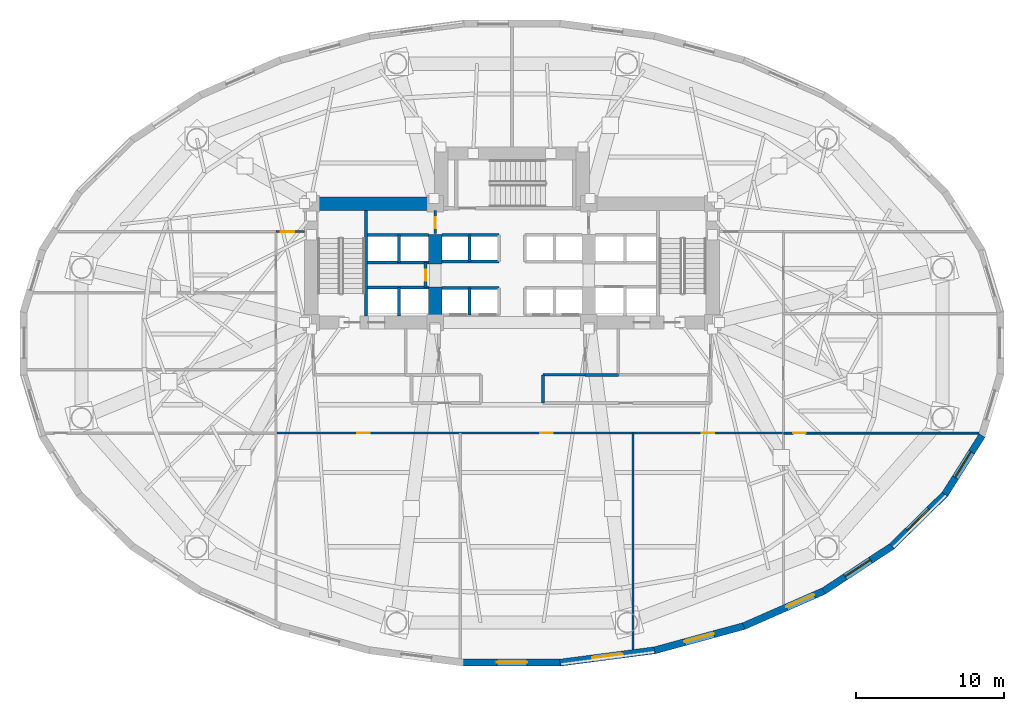
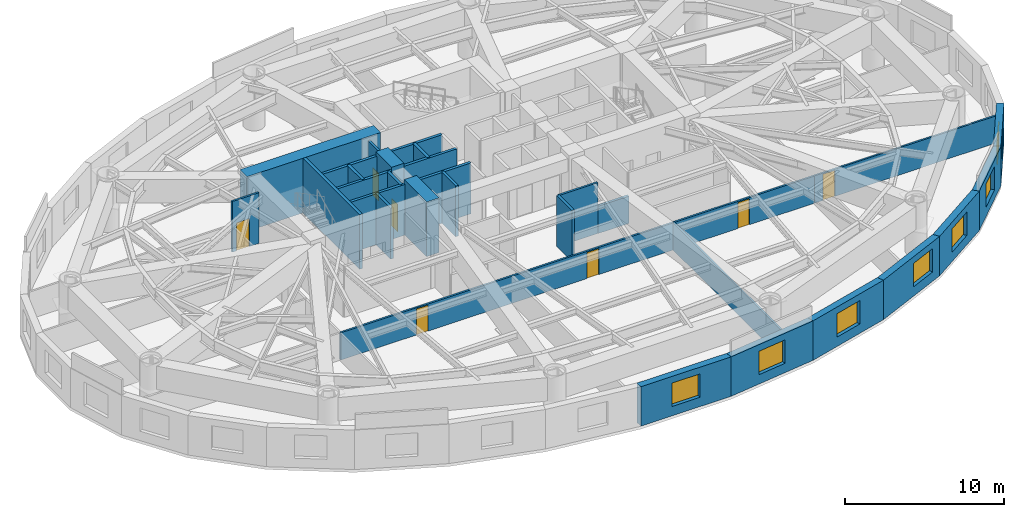
# One storey, part 6 of 14: 30 walls, 7 doors, 7 windows, 14 openings.
"""IFC4 building model written with IfcOpenShell, lengths in metres."""

from ifc_helpers import new_model, si_unit, direction, frame, frame_2d, origin, place, context, subcontext, project, spatial, rectangle, extrude, material, layer, layer_set, type_object, element, fill, save


model = new_model("IFC4")

# Units and contexts
model_context = context("Model", 3, precision=1e-05, world=origin(), true_north=direction((0.0, 1.0)))
body_context = subcontext(model_context, "Body", "Model", "MODEL_VIEW")
ifc_project = project(units=[si_unit("LENGTHUNIT", "METRE"), si_unit("AREAUNIT", "SQUARE_METRE"), si_unit("VOLUMEUNIT", "CUBIC_METRE"), si_unit("PLANEANGLEUNIT", "RADIAN"), si_unit("MASSUNIT", "GRAM", prefix="KILO")], contexts=[model_context])

# Site, building, storey
site_placement = place(None, origin())
site = spatial("IfcSite", under=ifc_project, at=site_placement, CompositionType="ELEMENT")
building_placement = place(site_placement, origin())
building = spatial("IfcBuilding", under=site, at=building_placement, Name="Keldmark Tower", CompositionType="ELEMENT")
storey_placement = place(building_placement, frame((0.0, 0.0, 22.800048828125)))
storey = spatial("IfcBuildingStorey", under=building, at=storey_placement, Name="L05", CompositionType="ELEMENT", Elevation=22.800048828125)

# Wall, openings, doors
ifc_material_1 = material(Name="Acoustic Double-Layer Gypsum Corridor Partition", Category="gypsum")
ifc_layer_1 = layer(ifc_material_1, 0.139892578125)
ifc_layer_set_1 = layer_set([ifc_layer_1], Name="Acoustic Double-Layer Gypsum Corridor Partition")
wall_type_1 = type_object("IfcWallType", Name="Acoustic Corridor Partition 140 mm", PredefinedType="PARTITIONING", material=ifc_layer_set_1)
wall_1_placement = place(storey_placement, frame((-16.0, -6.10009765625, 0.0), z_axis=(0.0, 0.0, 1.0), x_axis=(1.0, 0.0, 0.0)))
wall_1 = element("IfcWall", 1, at=wall_1_placement, inside=storey, type_object=wall_type_1, Name="L05 Acoustic Corridor Partition 140 mm COR-S", PredefinedType="PARTITIONING", context=body_context, shape_type="SweptSolid", body=[
    extrude(rectangle(XDim=34.39990234375, YDim=0.139892578125, at=frame_2d((17.199951171875, 0.0))), origin(), (0.0, 0.0, 1.0), 2.08984375),
])
opening_1_placement = place(wall_1_placement, frame((5.5, 0.0, 0.0)))
opening_1 = element("IfcOpeningElement", 2, at=opening_1_placement, cuts=wall_1, Name="Opening D-CUD85", PredefinedType="OPENING", context=body_context, shape_type="SweptSolid", body=[
    extrude(rectangle(XDim=0.85009765625, YDim=2.0, at=frame_2d((0.425048828125, 1.0))), frame((0.0, 0.079833984375, 0.0), z_axis=(0.0, -1.0, 0.0), x_axis=(1.0, 0.0, 0.0)), (0.0, 0.0, 1.0), 0.159912109375),
])
opening_2_placement = place(wall_1_placement, frame((17.89990234375, 0.0, 0.0)))
opening_2 = element("IfcOpeningElement", 3, at=opening_2_placement, cuts=wall_1, Name="Opening D-CUD85", PredefinedType="OPENING", context=body_context, shape_type="SweptSolid", body=[
    extrude(rectangle(XDim=0.85009765625, YDim=2.0, at=frame_2d((0.425048828125, 1.0))), frame((0.0, 0.079833984375, 0.0), z_axis=(0.0, -1.0, 0.0), x_axis=(1.0, 0.0, 0.0)), (0.0, 0.0, 1.0), 0.159912109375),
])
opening_3_placement = place(wall_1_placement, frame((28.85009765625, 0.0, 0.0)))
opening_3 = element("IfcOpeningElement", 4, at=opening_3_placement, cuts=wall_1, Name="Opening D-CUD85", PredefinedType="OPENING", context=body_context, shape_type="SweptSolid", body=[
    extrude(rectangle(XDim=0.85009765625, YDim=2.0, at=frame_2d((0.425048828125, 1.0))), frame((0.0, 0.079833984375, 0.0), z_axis=(0.0, -1.0, 0.0), x_axis=(1.0, 0.0, 0.0)), (0.0, 0.0, 1.0), 0.159912109375),
])
ifc_material_2 = material(Name="Compact Flush Solid-Core Timber Door", Category="wood")
door_type_1 = type_object("IfcDoorType", Name="Compact Unrated Door 850x2000", OperationType="NOTDEFINED", PredefinedType="DOOR", material=ifc_material_2)
door_1_placement = place(opening_1_placement, origin())
door_1 = element("IfcDoor", 5, at=door_1_placement, inside=storey, type_object=door_type_1, Name="L05 Compact Unrated Door 850x2000 D-SR-1-L05", OperationType="SINGLE_SWING_LEFT", OverallHeight=2.0, OverallWidth=0.85009765625, PredefinedType="DOOR", context=body_context, shape_type="SweptSolid", body=[
    extrude(rectangle(XDim=0.85009765625, YDim=2.0, at=frame_2d((0.425048828125, 1.0))), frame((0.0, 0.02490234375, 0.0), z_axis=(0.0, -1.0, 0.0), x_axis=(1.0, 0.0, 0.0)), (0.0, 0.0, 1.0), 0.050048828125),
])
fill(opening_1, door_1)
door_2_placement = place(opening_2_placement, origin())
door_2 = element("IfcDoor", 6, at=door_2_placement, inside=storey, type_object=door_type_1, Name="L05 Compact Unrated Door 850x2000 D-SR-2-L05", OperationType="SINGLE_SWING_RIGHT", OverallHeight=2.0, OverallWidth=0.85009765625, PredefinedType="DOOR", context=body_context, shape_type="SweptSolid", body=[
    extrude(rectangle(XDim=0.85009765625, YDim=2.0, at=frame_2d((0.425048828125, 1.0))), frame((0.0, 0.02490234375, 0.0), z_axis=(0.0, -1.0, 0.0), x_axis=(1.0, 0.0, 0.0)), (0.0, 0.0, 1.0), 0.050048828125),
])
fill(opening_2, door_2)
door_3_placement = place(opening_3_placement, origin())
door_3 = element("IfcDoor", 7, at=door_3_placement, inside=storey, type_object=door_type_1, Name="L05 Compact Unrated Door 850x2000 D-SR-3-L05", OperationType="SINGLE_SWING_LEFT", OverallHeight=2.0, OverallWidth=0.85009765625, PredefinedType="DOOR", context=body_context, shape_type="SweptSolid", body=[
    extrude(rectangle(XDim=0.85009765625, YDim=2.0, at=frame_2d((0.425048828125, 1.0))), frame((0.0, 0.02490234375, 0.0), z_axis=(0.0, -1.0, 0.0), x_axis=(1.0, 0.0, 0.0)), (0.0, 0.0, 1.0), 0.050048828125),
])
fill(opening_3, door_3)

# Wall, opening, door
wall_2_placement = place(storey_placement, frame((-16.0, 7.550048828125, 0.0), z_axis=(0.0, 0.0, 1.0), x_axis=(1.0, 0.0, 0.0)))
wall_2 = element("IfcWall", 8, at=wall_2_placement, inside=storey, type_object=wall_type_1, Name="L05 Acoustic Corridor Partition 140 mm COR-WN-CAP", PredefinedType="PARTITIONING", context=body_context, shape_type="SweptSolid", body=[
    extrude(rectangle(XDim=1.949951171875, YDim=0.139892578125, at=frame_2d((0.97509765625, 0.0))), origin(), (0.0, 0.0, 1.0), 3.89990234375),
])
opening_4_placement = place(wall_2_placement, frame((0.320068359375, 0.0, 0.0)))
opening_4 = element("IfcOpeningElement", 9, at=opening_4_placement, cuts=wall_2, Name="Opening D-EX092", PredefinedType="OPENING", context=body_context, shape_type="SweptSolid", body=[
    extrude(rectangle(XDim=0.919921875, YDim=2.14990234375, at=frame_2d((0.4599609375, 1.074951171875))), frame((0.0, 0.079833984375, 0.0), z_axis=(0.0, -1.0, 0.0), x_axis=(1.0, 0.0, 0.0)), (0.0, 0.0, 1.0), 0.159912109375),
])
ifc_material_3 = material(Name="Flush American Ash Executive Office Door", Category="wood")
door_type_2 = type_object("IfcDoorType", Name="Executive Office Door 920x2150", OperationType="NOTDEFINED", PredefinedType="DOOR", material=ifc_material_3)
door_4_placement = place(opening_4_placement, origin())
door_4 = element("IfcDoor", 10, at=door_4_placement, inside=storey, type_object=door_type_2, Name="L05 Executive Office Door 920x2150 D-NRNW-L05", OperationType="SINGLE_SWING_LEFT", OverallHeight=2.14990234375, OverallWidth=0.919921875, PredefinedType="DOOR", context=body_context, shape_type="SweptSolid", body=[
    extrude(rectangle(XDim=0.919921875, YDim=2.14990234375, at=frame_2d((0.4599609375, 1.074951171875))), frame((0.0, 0.02490234375, 0.0), z_axis=(0.0, -1.0, 0.0), x_axis=(1.0, 0.0, 0.0)), (0.0, 0.0, 1.0), 0.050048828125),
])
fill(opening_4, door_4)

# Walls
ifc_material_4 = material(Name="Heavy Acoustic Plumbing Chase Gypsum Assembly", Category="gypsum")
ifc_layer_2 = layer(ifc_material_4, 0.18994140625)
ifc_layer_set_2 = layer_set([ifc_layer_2], Name="Heavy Acoustic Plumbing Chase Gypsum Assembly")
wall_type_2 = type_object("IfcWallType", Name="Heavy Wet Wall 190 mm", PredefinedType="PLUMBINGWALL", material=ifc_layer_set_2)
wall_3_placement = place(storey_placement, frame((2.10009765625, -4.050048828125, 0.0), z_axis=(0.0, 0.0, 1.0), x_axis=(0.0, 1.0, 0.0)))
element("IfcWall", 11, at=wall_3_placement, inside=storey, type_object=wall_type_2, Name="L05 Heavy Wet Wall 190 mm SPK-E-W", PredefinedType="PLUMBINGWALL", context=body_context, shape_type="SweptSolid", body=[
    extrude(rectangle(XDim=1.900146484375, YDim=0.18994140625, at=frame_2d((0.9501953125, 0.0))), origin(), (0.0, 0.0, 1.0), 3.89990234375),
])
ifc_material_5 = material(Name="Acoustic Gypsum Board Interior Partition", Category="gypsum")
ifc_layer_3 = layer(ifc_material_5, 0.1298828125)
ifc_layer_set_3 = layer_set([ifc_layer_3], Name="Acoustic Gypsum Board Interior Partition")
wall_type_3 = type_object("IfcWallType", Name="Interior Partition 130 mm", PredefinedType="PARTITIONING", material=ifc_layer_set_3)
wall_4_placement = place(storey_placement, frame((8.199951171875, -20.759765625, 0.0), z_axis=(0.0, 0.0, 1.0), x_axis=(0.0, 1.0, 0.0)))
element("IfcWall", 12, at=wall_4_placement, inside=storey, type_object=wall_type_3, Name="L05 Interior Partition 130 mm S-DIV-2", PredefinedType="PARTITIONING", context=body_context, shape_type="SweptSolid", body=[
    extrude(rectangle(XDim=14.65966796875, YDim=0.1298828125, at=frame_2d((7.329833984375, 0.0))), origin(), (0.0, 0.0, 1.0), 2.08984375),
])

# Wall, opening, door
wall_5_placement = place(storey_placement, frame((18.39990234375, -6.10009765625, 0.0), z_axis=(0.0, 0.0, 1.0), x_axis=(1.0, 0.0, 0.0)))
wall_5 = element("IfcWall", 13, at=wall_5_placement, inside=storey, type_object=wall_type_3, Name="L05 Interior Partition 130 mm E-CAP-S", PredefinedType="PARTITIONING", context=body_context, shape_type="SweptSolid", body=[
    extrude(rectangle(XDim=13.234375, YDim=0.1298828125, at=frame_2d((6.6171875, 0.0))), origin(), (0.0, 0.0, 1.0), 2.08984375),
])
opening_5_placement = place(wall_5_placement, frame((0.64990234375, 0.0, 0.0)))
opening_5 = element("IfcOpeningElement", 14, at=opening_5_placement, cuts=wall_5, Name="Opening D-CUD85", PredefinedType="OPENING", context=body_context, shape_type="SweptSolid", body=[
    extrude(rectangle(XDim=0.85009765625, YDim=2.0, at=frame_2d((0.425048828125, 1.0))), frame((0.0, 0.074951171875, 0.0), z_axis=(0.0, -1.0, 0.0), x_axis=(1.0, 0.0, 0.0)), (0.0, 0.0, 1.0), 0.14990234375),
])
door_5_placement = place(opening_5_placement, origin())
door_5 = element("IfcDoor", 15, at=door_5_placement, inside=storey, type_object=door_type_1, Name="L05 Compact Unrated Door 850x2000 D-ERSE-L05", OperationType="SINGLE_SWING_RIGHT", OverallHeight=2.0, OverallWidth=0.85009765625, PredefinedType="DOOR", context=body_context, shape_type="SweptSolid", body=[
    extrude(rectangle(XDim=0.85009765625, YDim=2.0, at=frame_2d((0.425048828125, 1.0))), frame((0.0, 0.02490234375, 0.0), z_axis=(0.0, -1.0, 0.0), x_axis=(1.0, 0.0, 0.0)), (0.0, 0.0, 1.0), 0.050048828125),
])
fill(opening_5, door_5)

# Walls
ifc_material_6 = material(Name="Concrete C70/85", Category="concrete")
ifc_layer_4 = layer(ifc_material_6, 0.89990234375)
ifc_layer_set_4 = layer_set([ifc_layer_4], Name="Concrete C70/85")
wall_type_4 = type_object("IfcWallType", Name="Lower Core Shear Wall 900 mm", PredefinedType="SHEAR", material=ifc_layer_set_4)
wall_6_placement = place(storey_placement, frame((-14.050048828125, 9.449951171875, 0.0), z_axis=(0.0, 0.0, 1.0), x_axis=(1.0, 0.0, 0.0)))
element("IfcWall", 16, at=wall_6_placement, inside=storey, type_object=wall_type_4, Name="L05 West Core North Shear Wall", PredefinedType="SHEAR", context=body_context, shape_type="SweptSolid", body=[
    extrude(rectangle(XDim=9.699951171875, YDim=0.89990234375, at=frame_2d((4.85009765625, 0.0))), origin(), (0.0, 0.0, 1.0), 4.199951171875),
])
wall_7_placement = place(storey_placement, frame((-5.199951171875, 0.949951171875, 0.0), z_axis=(0.0, 0.0, 1.0), x_axis=(0.0, 1.0, 0.0)))
element("IfcWall", 17, at=wall_7_placement, inside=storey, type_object=wall_type_4, Name="L05 West Core Inner Shear Pier South", PredefinedType="SHEAR", context=body_context, shape_type="SweptSolid", body=[
    extrude(rectangle(XDim=2.85009765625, YDim=0.89990234375, at=frame_2d((1.425048828125, 0.0))), origin(), (0.0, 0.0, 1.0), 4.199951171875),
])
wall_8_placement = place(storey_placement, frame((-5.199951171875, 5.35009765625, 0.0), z_axis=(0.0, 0.0, 1.0), x_axis=(0.0, 1.0, 0.0)))
element("IfcWall", 18, at=wall_8_placement, inside=storey, type_object=wall_type_4, Name="L05 West Core Inner Shear Pier North", PredefinedType="SHEAR", context=body_context, shape_type="SweptSolid", body=[
    extrude(rectangle(XDim=2.0, YDim=0.89990234375, at=frame_2d((1.0, 0.0))), origin(), (0.0, 0.0, 1.0), 4.199951171875),
])

# Wall, opening, window
ifc_material_7 = material(Name="Ironspot Manganese Brick and Kasota Buff Limestone Cavity Assembly", Category="masonry")
ifc_layer_5 = layer(ifc_material_7, 0.47998046875)
ifc_layer_set_5 = layer_set([ifc_layer_5], Name="Ironspot Manganese Brick and Kasota Buff Limestone Cavity Assembly")
wall_type_5 = type_object("IfcWallType", Name="Podium Brick and Limestone Cavity Wall 480 mm", PredefinedType="STANDARD", material=ifc_layer_set_5)
wall_9_placement = place(storey_placement, frame((3.28369140625, -21.654052734375, 0.0), z_axis=(0.0, 0.0, 1.0), x_axis=(-1.0, 0.0, 0.0)))
wall_9 = element("IfcWall", 19, at=wall_9_placement, inside=storey, type_object=wall_type_5, Name="L05 Exterior Brick and Spandrel Wall 24", PredefinedType="STANDARD", context=body_context, shape_type="SweptSolid", body=[
    extrude(rectangle(XDim=6.5673828125, YDim=0.47998046875, at=frame_2d((3.28369140625, 0.0))), origin(), (0.0, 0.0, 1.0), 3.032958984375),
])
opening_6_placement = place(wall_9_placement, frame((2.258544921875, 0.0, 0.719970703125)))
opening_6 = element("IfcOpeningElement", 20, at=opening_6_placement, cuts=wall_9, Name="Opening W-07", PredefinedType="OPENING", context=body_context, shape_type="SweptSolid", body=[
    extrude(rectangle(XDim=2.050048828125, YDim=1.800048828125, at=frame_2d((1.02490234375, 0.89990234375))), frame((0.0, 0.25, 0.0), z_axis=(0.0, -1.0, 0.0), x_axis=(1.0, 0.0, 0.0)), (0.0, 0.0, 1.0), 0.5),
])
ifc_material_8 = material(Name="Thermally Broken Anodized Aluminum and Triple Low-E Argon Glazing", Category="aluminium")
window_type = type_object("IfcWindowType", Name="Podium Mezzanine Punched Window 2050x1800", PartitioningType="DOUBLE_PANEL_VERTICAL", PredefinedType="WINDOW", material=ifc_material_8)
window_1_placement = place(opening_6_placement, origin())
window_1 = element("IfcWindow", 21, at=window_1_placement, inside=storey, type_object=window_type, Name="L05 Deep-Set Window 24", OverallHeight=1.800048828125, OverallWidth=2.050048828125, PartitioningType="SINGLE_PANEL", PredefinedType="WINDOW", context=body_context, shape_type="SweptSolid", body=[
    extrude(rectangle(XDim=2.050048828125, YDim=1.800048828125, at=frame_2d((1.02490234375, 0.89990234375))), frame((0.0, -0.010009765625, 0.0), z_axis=(0.0, -1.0, 0.0), x_axis=(1.0, 0.0, 0.0)), (0.0, 0.0, 1.0), 0.06005859375),
])
fill(opening_6, window_1)

wall_10_placement = place(storey_placement, frame((9.693359375, -20.814697265625, 0.0), z_axis=(0.0, 0.0, 1.0), x_axis=(-0.991576921472, -0.129519144545, 0.0)))
wall_10 = element("IfcWall", 22, at=wall_10_placement, inside=storey, type_object=wall_type_5, Name="L05 Exterior Brick and Spandrel Wall 25", PredefinedType="STANDARD", context=body_context, shape_type="SweptSolid", body=[
    extrude(rectangle(XDim=6.49560546875, YDim=0.47998046875, at=frame_2d((3.247802734375, 0.0))), origin(), (0.0, 0.0, 1.0), 3.032958984375),
])
opening_7_placement = place(wall_10_placement, frame((2.222900390625, 0.0, 0.719970703125)))
opening_7 = element("IfcOpeningElement", 23, at=opening_7_placement, cuts=wall_10, Name="Opening W-07", PredefinedType="OPENING", context=body_context, shape_type="SweptSolid", body=[
    extrude(rectangle(XDim=2.050048828125, YDim=1.800048828125, at=frame_2d((1.02490234375, 0.89990234375))), frame((0.0, 0.25, 0.0), z_axis=(0.0, -1.0, 0.0), x_axis=(1.0, 0.0, 0.0)), (0.0, 0.0, 1.0), 0.5),
])
window_2_placement = place(opening_7_placement, origin())
window_2 = element("IfcWindow", 24, at=window_2_placement, inside=storey, type_object=window_type, Name="L05 Deep-Set Window 25", OverallHeight=1.800048828125, OverallWidth=2.050048828125, PartitioningType="SINGLE_PANEL", PredefinedType="WINDOW", context=body_context, shape_type="SweptSolid", body=[
    extrude(rectangle(XDim=2.050048828125, YDim=1.800048828125, at=frame_2d((1.02490234375, 0.89990234375))), frame((0.0, -0.010009765625, 0.0), z_axis=(0.0, -1.0, 0.0), x_axis=(1.0, 0.0, 0.0)), (0.0, 0.0, 1.0), 0.06005859375),
])
fill(opening_7, window_2)

wall_11_placement = place(storey_placement, frame((15.728759765625, -19.170654296875, 0.0), z_axis=(0.0, 0.0, 1.0), x_axis=(-0.964936550718, -0.262483243445, 0.0)))
wall_11 = element("IfcWall", 25, at=wall_11_placement, inside=storey, type_object=wall_type_5, Name="L05 Exterior Brick and Spandrel Wall 26", PredefinedType="STANDARD", context=body_context, shape_type="SweptSolid", body=[
    extrude(rectangle(XDim=6.28759765625, YDim=0.47998046875, at=frame_2d((3.143798828125, 0.0))), origin(), (0.0, 0.0, 1.0), 3.032958984375),
])
opening_8_placement = place(wall_11_placement, frame((2.118896484375, 0.0, 0.719970703125)))
opening_8 = element("IfcOpeningElement", 26, at=opening_8_placement, cuts=wall_11, Name="Opening W-07", PredefinedType="OPENING", context=body_context, shape_type="SweptSolid", body=[
    extrude(rectangle(XDim=2.050048828125, YDim=1.800048828125, at=frame_2d((1.02490234375, 0.89990234375))), frame((0.0, 0.25, 0.0), z_axis=(0.0, -1.0, 0.0), x_axis=(1.0, 0.0, 0.0)), (0.0, 0.0, 1.0), 0.5),
])
window_3_placement = place(opening_8_placement, origin())
window_3 = element("IfcWindow", 27, at=window_3_placement, inside=storey, type_object=window_type, Name="L05 Deep-Set Window 26", OverallHeight=1.800048828125, OverallWidth=2.050048828125, PartitioningType="SINGLE_PANEL", PredefinedType="WINDOW", context=body_context, shape_type="SweptSolid", body=[
    extrude(rectangle(XDim=2.050048828125, YDim=1.800048828125, at=frame_2d((1.02490234375, 0.89990234375))), frame((0.0, -0.010009765625, 0.0), z_axis=(0.0, -1.0, 0.0), x_axis=(1.0, 0.0, 0.0)), (0.0, 0.0, 1.0), 0.06005859375),
])
fill(opening_8, window_3)

wall_12_placement = place(storey_placement, frame((21.15576171875, -16.786376953125, 0.0), z_axis=(0.0, 0.0, 1.0), x_axis=(-0.91570760638, -0.401845218484, 0.0)))
wall_12 = element("IfcWall", 28, at=wall_12_placement, inside=storey, type_object=wall_type_5, Name="L05 Exterior Brick and Spandrel Wall 27", PredefinedType="STANDARD", context=body_context, shape_type="SweptSolid", body=[
    extrude(rectangle(XDim=5.963134765625, YDim=0.47998046875, at=frame_2d((2.9814453125, 0.0))), origin(), (0.0, 0.0, 1.0), 3.032958984375),
])
opening_9_placement = place(wall_12_placement, frame((0.744384765625, 0.0, 0.719970703125)))
opening_9 = element("IfcOpeningElement", 29, at=opening_9_placement, cuts=wall_12, Name="Opening W-07", PredefinedType="OPENING", context=body_context, shape_type="SweptSolid", body=[
    extrude(rectangle(XDim=2.050048828125, YDim=1.800048828125, at=frame_2d((1.02490234375, 0.89990234375))), frame((0.0, 0.25, 0.0), z_axis=(0.0, -1.0, 0.0), x_axis=(1.0, 0.0, 0.0)), (0.0, 0.0, 1.0), 0.5),
])
window_4_placement = place(opening_9_placement, origin())
window_4 = element("IfcWindow", 30, at=window_4_placement, inside=storey, type_object=window_type, Name="L05 Deep-Set Window 27", OverallHeight=1.800048828125, OverallWidth=2.050048828125, PartitioningType="SINGLE_PANEL", PredefinedType="WINDOW", context=body_context, shape_type="SweptSolid", body=[
    extrude(rectangle(XDim=2.050048828125, YDim=1.800048828125, at=frame_2d((1.02490234375, 0.89990234375))), frame((0.0, -0.010009765625, 0.0), z_axis=(0.0, -1.0, 0.0), x_axis=(1.0, 0.0, 0.0)), (0.0, 0.0, 1.0), 0.06005859375),
])
fill(opening_9, window_4)

wall_13_placement = place(storey_placement, frame((25.76416015625, -13.756103515625, 0.0), z_axis=(0.0, 0.0, 1.0), x_axis=(-0.835863918172, -0.548936708827, 0.0)))
wall_13 = element("IfcWall", 31, at=wall_13_placement, inside=storey, type_object=wall_type_5, Name="L05 Exterior Brick and Spandrel Wall 28", PredefinedType="STANDARD", context=body_context, shape_type="SweptSolid", body=[
    extrude(rectangle(XDim=5.555419921875, YDim=0.47998046875, at=frame_2d((2.77783203125, 0.0))), origin(), (0.0, 0.0, 1.0), 3.032958984375),
])
opening_10_placement = place(wall_13_placement, frame((1.752685546875, 0.0, 0.719970703125)))
opening_10 = element("IfcOpeningElement", 32, at=opening_10_placement, cuts=wall_13, Name="Opening W-07", PredefinedType="OPENING", context=body_context, shape_type="SweptSolid", body=[
    extrude(rectangle(XDim=2.050048828125, YDim=1.800048828125, at=frame_2d((1.02490234375, 0.89990234375))), frame((0.0, 0.25, 0.0), z_axis=(0.0, -1.0, 0.0), x_axis=(1.0, 0.0, 0.0)), (0.0, 0.0, 1.0), 0.5),
])
window_5_placement = place(opening_10_placement, origin())
window_5 = element("IfcWindow", 33, at=window_5_placement, inside=storey, type_object=window_type, Name="L05 Deep-Set Window 28", OverallHeight=1.800048828125, OverallWidth=2.050048828125, PartitioningType="SINGLE_PANEL", PredefinedType="WINDOW", context=body_context, shape_type="SweptSolid", body=[
    extrude(rectangle(XDim=2.050048828125, YDim=1.800048828125, at=frame_2d((1.02490234375, 0.89990234375))), frame((0.0, -0.010009765625, 0.0), z_axis=(0.0, -1.0, 0.0), x_axis=(1.0, 0.0, 0.0)), (0.0, 0.0, 1.0), 0.06005859375),
])
fill(opening_10, window_5)

wall_14_placement = place(storey_placement, frame((29.376220703125, -10.199462890625, 0.0), z_axis=(0.0, 0.0, 1.0), x_axis=(-0.713189080178, -0.700971708355, 0.0)))
wall_14 = element("IfcWall", 34, at=wall_14_placement, inside=storey, type_object=wall_type_5, Name="L05 Exterior Brick and Spandrel Wall 29", PredefinedType="STANDARD", context=body_context, shape_type="SweptSolid", body=[
    extrude(rectangle(XDim=5.11572265625, YDim=0.47998046875, at=frame_2d((2.557861328125, 0.0))), origin(), (0.0, 0.0, 1.0), 3.032958984375),
])
opening_11_placement = place(wall_14_placement, frame((1.532958984375, 0.0, 0.719970703125)))
opening_11 = element("IfcOpeningElement", 35, at=opening_11_placement, cuts=wall_14, Name="Opening W-07", PredefinedType="OPENING", context=body_context, shape_type="SweptSolid", body=[
    extrude(rectangle(XDim=2.050048828125, YDim=1.800048828125, at=frame_2d((1.02490234375, 0.89990234375))), frame((0.0, 0.25, 0.0), z_axis=(0.0, -1.0, 0.0), x_axis=(1.0, 0.0, 0.0)), (0.0, 0.0, 1.0), 0.5),
])
window_6_placement = place(opening_11_placement, origin())
window_6 = element("IfcWindow", 36, at=window_6_placement, inside=storey, type_object=window_type, Name="L05 Deep-Set Window 29", OverallHeight=1.800048828125, OverallWidth=2.050048828125, PartitioningType="SINGLE_PANEL", PredefinedType="WINDOW", context=body_context, shape_type="SweptSolid", body=[
    extrude(rectangle(XDim=2.050048828125, YDim=1.800048828125, at=frame_2d((1.02490234375, 0.89990234375))), frame((0.0, -0.010009765625, 0.0), z_axis=(0.0, -1.0, 0.0), x_axis=(1.0, 0.0, 0.0)), (0.0, 0.0, 1.0), 0.06005859375),
])
fill(opening_11, window_6)

wall_15_placement = place(storey_placement, frame((31.8544921875, -6.25830078125, 0.0), z_axis=(0.0, 0.0, 1.0), x_axis=(-0.53349762721, -0.845801561693, 0.0)))
wall_15 = element("IfcWall", 37, at=wall_15_placement, inside=storey, type_object=wall_type_5, Name="L05 Exterior Brick and Spandrel Wall 30", PredefinedType="STANDARD", context=body_context, shape_type="SweptSolid", body=[
    extrude(rectangle(XDim=4.710693359375, YDim=0.47998046875, at=frame_2d((2.35546875, 0.0))), origin(), (0.0, 0.0, 1.0), 3.032958984375),
])
opening_12_placement = place(wall_15_placement, frame((1.330322265625, 0.0, 0.719970703125)))
opening_12 = element("IfcOpeningElement", 38, at=opening_12_placement, cuts=wall_15, Name="Opening W-07", PredefinedType="OPENING", context=body_context, shape_type="SweptSolid", body=[
    extrude(rectangle(XDim=2.050048828125, YDim=1.800048828125, at=frame_2d((1.02490234375, 0.89990234375))), frame((0.0, 0.25, 0.0), z_axis=(0.0, -1.0, 0.0), x_axis=(1.0, 0.0, 0.0)), (0.0, 0.0, 1.0), 0.5),
])
window_7_placement = place(opening_12_placement, origin())
window_7 = element("IfcWindow", 39, at=window_7_placement, inside=storey, type_object=window_type, Name="L05 Deep-Set Window 30", OverallHeight=1.800048828125, OverallWidth=2.050048828125, PartitioningType="SINGLE_PANEL", PredefinedType="WINDOW", context=body_context, shape_type="SweptSolid", body=[
    extrude(rectangle(XDim=2.050048828125, YDim=1.800048828125, at=frame_2d((1.02490234375, 0.89990234375))), frame((0.0, -0.010009765625, 0.0), z_axis=(0.0, -1.0, 0.0), x_axis=(1.0, 0.0, 0.0)), (0.0, 0.0, 1.0), 0.06005859375),
])
fill(opening_12, window_7)

# Wall, opening, door
ifc_material_9 = material(Name="Type X Fire-Rated Gypsum Partition Assembly", Category="gypsum")
ifc_layer_6 = layer(ifc_material_9, 0.1650390625)
ifc_layer_set_6 = layer_set([ifc_layer_6], Name="Type X Fire-Rated Gypsum Partition Assembly")
wall_type_6 = type_object("IfcWallType", Name="Rated Partition 165 mm", PredefinedType="PARTITIONING", material=ifc_layer_set_6)
wall_16_placement = place(storey_placement, frame((-5.199951171875, 7.419921875, 0.0), z_axis=(0.0, 0.0, 1.0), x_axis=(0.0, 1.0, 0.0)))
wall_16 = element("IfcWall", 40, at=wall_16_placement, inside=storey, type_object=wall_type_6, Name="L05 Rated Partition 165 mm CS-NW-E", PredefinedType="PARTITIONING", context=body_context, shape_type="SweptSolid", body=[
    extrude(rectangle(XDim=1.580078125, YDim=0.1650390625, at=frame_2d((0.7900390625, 0.0))), origin(), (0.0, 0.0, 1.0), 3.89990234375),
])
opening_13_placement = place(wall_16_placement, frame((0.35009765625, 0.0, 0.0)))
opening_13 = element("IfcOpeningElement", 41, at=opening_13_placement, cuts=wall_16, Name="Opening D-RS075", PredefinedType="OPENING", context=body_context, shape_type="SweptSolid", body=[
    extrude(rectangle(XDim=0.75, YDim=2.10009765625, at=frame_2d((0.375, 1.050048828125))), frame((0.0, 0.092529296875, 0.0), z_axis=(0.0, -1.0, 0.0), x_axis=(1.0, 0.0, 0.0)), (0.0, 0.0, 1.0), 0.18505859375),
])
ifc_material_10 = material(Name="Galvanized Fire-Rated Access Leaf", Category="metal")
door_type_3 = type_object("IfcDoorType", Name="Riser Access Door 750x2100", OperationType="NOTDEFINED", PredefinedType="DOOR", material=ifc_material_10)
door_6_placement = place(opening_13_placement, origin())
door_6 = element("IfcDoor", 42, at=door_6_placement, inside=storey, type_object=door_type_3, Name="L05 Riser Access Door 750x2100 D-CSNW1-L05", OperationType="SINGLE_SWING_LEFT", OverallHeight=2.10009765625, OverallWidth=0.75, PredefinedType="DOOR", context=body_context, shape_type="SweptSolid", body=[
    extrude(rectangle(XDim=0.75, YDim=2.10009765625, at=frame_2d((0.375, 1.050048828125))), frame((0.0, 0.02490234375, 0.0), z_axis=(0.0, -1.0, 0.0), x_axis=(1.0, 0.0, 0.0)), (0.0, 0.0, 1.0), 0.050048828125),
])
fill(opening_13, door_6)

# Walls
ifc_material_11 = material(Name="Fire-Resistant Type X Gypsum Shaftliner Coreboard", Category="gypsum")
ifc_layer_7 = layer(ifc_material_11, 0.199951171875)
ifc_layer_set_7 = layer_set([ifc_layer_7], Name="Fire-Resistant Type X Gypsum Shaftliner Coreboard")
wall_type_7 = type_object("IfcWallType", Name="Shaft Wall 200 mm", PredefinedType="SOLIDWALL", material=ifc_layer_set_7)
wall_17_placement = place(storey_placement, frame((4.949951171875, -2.14990234375, 0.0), z_axis=(0.0, 0.0, 1.0), x_axis=(1.0, 0.0, 0.0)))
element("IfcWall", 43, at=wall_17_placement, inside=storey, type_object=wall_type_7, Name="L05 Shaft Wall 200 mm RIS-SE-S", PredefinedType="SOLIDWALL", context=body_context, shape_type="SweptSolid", body=[
    extrude(rectangle(XDim=2.25, YDim=0.199951171875, at=frame_2d((1.125, 0.0))), origin(), (0.0, 0.0, 1.0), 2.08984375),
])
wall_18_placement = place(storey_placement, frame((-9.780029296875, 3.780029296875, 0.0), z_axis=(0.0, 0.0, 1.0), x_axis=(1.0, 0.0, 0.0)))
element("IfcWall", 44, at=wall_18_placement, inside=storey, type_object=wall_type_7, Name="L05 Shaft Wall 200 mm HW-W-S", PredefinedType="SOLIDWALL", context=body_context, shape_type="SweptSolid", body=[
    extrude(rectangle(XDim=4.130126953125, YDim=0.199951171875, at=frame_2d((2.06494140625, 0.0))), origin(), (0.0, 0.0, 1.0), 3.89990234375),
])
wall_19_placement = place(storey_placement, frame((-7.64990234375, 1.85009765625, 0.0), z_axis=(0.0, 0.0, 1.0), x_axis=(0.0, 1.0, 0.0)))
element("IfcWall", 45, at=wall_19_placement, inside=storey, type_object=wall_type_7, Name="L05 Shaft Wall 200 mm HW-W-M", PredefinedType="SOLIDWALL", context=body_context, shape_type="SweptSolid", body=[
    extrude(rectangle(XDim=1.929931640625, YDim=0.199951171875, at=frame_2d((0.96484375, 0.0))), origin(), (0.0, 0.0, 1.0), 3.89990234375),
])
for number, where, z_axis, x_axis, name in (
    (46, (-9.780029296875, 5.469970703125, 0.0), (0.0, 0.0, 1.0), (1.0, 0.0, 0.0), "L05 Shaft Wall 200 mm HW-W-N"),
    (47, (-9.780029296875, 7.330078125, 0.0), (0.0, 0.0, 1.0), (1.0, 0.0, 0.0), "L05 Shaft Wall 200 mm HW-W-TOP"),
):
    element("IfcWall", number, at=place(storey_placement, frame(where, z_axis=z_axis, x_axis=x_axis)), inside=storey, type_object=wall_type_7, Name=name, PredefinedType="SOLIDWALL", context=body_context, shape_type="SweptSolid", body=[
        extrude(rectangle(XDim=4.130126953125, YDim=0.199951171875, at=frame_2d((2.06494140625, 0.0))), origin(), (0.0, 0.0, 1.0), 3.89990234375),
    ])
wall_20_placement = place(storey_placement, frame((-7.64990234375, 5.469970703125, 0.0), z_axis=(0.0, 0.0, 1.0), x_axis=(0.0, 1.0, 0.0)))
element("IfcWall", 48, at=wall_20_placement, inside=storey, type_object=wall_type_7, Name="L05 Shaft Wall 200 mm HW-W-NM", PredefinedType="SOLIDWALL", context=body_context, shape_type="SweptSolid", body=[
    extrude(rectangle(XDim=1.860107421875, YDim=0.199951171875, at=frame_2d((0.93017578125, 0.0))), origin(), (0.0, 0.0, 1.0), 3.89990234375),
])

# Wall, opening, door
wall_21_placement = place(storey_placement, frame((-5.85009765625, 3.780029296875, 0.0), z_axis=(0.0, 0.0, 1.0), x_axis=(0.0, 1.0, 0.0)))
wall_21 = element("IfcWall", 49, at=wall_21_placement, inside=storey, type_object=wall_type_7, Name="L05 Shaft Wall 200 mm HW-W-CLOSE", PredefinedType="SOLIDWALL", context=body_context, shape_type="SweptSolid", body=[
    extrude(rectangle(XDim=1.68994140625, YDim=0.199951171875, at=frame_2d((0.844970703125, 0.0))), origin(), (0.0, 0.0, 1.0), 3.89990234375),
])
opening_14_placement = place(wall_21_placement, frame((0.449951171875, 0.0, 0.0)))
opening_14 = element("IfcOpeningElement", 50, at=opening_14_placement, cuts=wall_21, Name="Opening D-RS075", PredefinedType="OPENING", context=body_context, shape_type="SweptSolid", body=[
    extrude(rectangle(XDim=0.75, YDim=2.10009765625, at=frame_2d((0.375, 1.050048828125))), frame((0.0, 0.10986328125, 0.0), z_axis=(0.0, -1.0, 0.0), x_axis=(1.0, 0.0, 0.0)), (0.0, 0.0, 1.0), 0.219970703125),
])
door_7_placement = place(opening_14_placement, origin())
door_7 = element("IfcDoor", 51, at=door_7_placement, inside=storey, type_object=door_type_3, Name="L05 Riser Access Door 750x2100 D-RISHW-L05", OperationType="SINGLE_SWING_RIGHT", OverallHeight=2.10009765625, OverallWidth=0.75, PredefinedType="DOOR", context=body_context, shape_type="SweptSolid", body=[
    extrude(rectangle(XDim=0.75, YDim=2.10009765625, at=frame_2d((0.375, 1.050048828125))), frame((0.0, 0.02490234375, 0.0), z_axis=(0.0, -1.0, 0.0), x_axis=(1.0, 0.0, 0.0)), (0.0, 0.0, 1.0), 0.050048828125),
])
fill(opening_14, door_7)

# Walls
wall_22_placement = place(storey_placement, frame((-4.739990234375, 3.739990234375, 0.0), z_axis=(0.0, 0.0, 1.0), x_axis=(1.0, 0.0, 0.0)))
element("IfcWall", 52, at=wall_22_placement, inside=storey, type_object=wall_type_7, Name="L05 Shaft Wall 200 mm LOW-N-W", PredefinedType="SOLIDWALL", context=body_context, shape_type="SweptSolid", body=[
    extrude(rectangle(XDim=3.860107421875, YDim=0.199951171875, at=frame_2d((1.93017578125, 0.0))), origin(), (0.0, 0.0, 1.0), 3.89990234375),
])
wall_23_placement = place(storey_placement, frame((-2.8798828125, 1.919921875, 0.0), z_axis=(0.0, 0.0, 1.0), x_axis=(0.0, 1.0, 0.0)))
element("IfcWall", 53, at=wall_23_placement, inside=storey, type_object=wall_type_7, Name="L05 Shaft Wall 200 mm LOW-M-W", PredefinedType="SOLIDWALL", context=body_context, shape_type="SweptSolid", body=[
    extrude(rectangle(XDim=1.820068359375, YDim=0.199951171875, at=frame_2d((0.91015625, 0.0))), origin(), (0.0, 0.0, 1.0), 3.89990234375),
])
for number, where, z_axis, x_axis, name in (
    (54, (-4.739990234375, 5.52001953125, 0.0), (0.0, 0.0, 1.0), (1.0, 0.0, 0.0), "L05 Shaft Wall 200 mm MID-S-W"),
    (55, (-4.739990234375, 7.330078125, 0.0), (0.0, 0.0, 1.0), (1.0, 0.0, 0.0), "L05 Shaft Wall 200 mm MID-N-W"),
):
    element("IfcWall", number, at=place(storey_placement, frame(where, z_axis=z_axis, x_axis=x_axis)), inside=storey, type_object=wall_type_7, Name=name, PredefinedType="SOLIDWALL", context=body_context, shape_type="SweptSolid", body=[
        extrude(rectangle(XDim=3.860107421875, YDim=0.199951171875, at=frame_2d((1.93017578125, 0.0))), origin(), (0.0, 0.0, 1.0), 3.89990234375),
    ])
wall_24_placement = place(storey_placement, frame((-2.8798828125, 5.52001953125, 0.0), z_axis=(0.0, 0.0, 1.0), x_axis=(0.0, 1.0, 0.0)))
element("IfcWall", 56, at=wall_24_placement, inside=storey, type_object=wall_type_7, Name="L05 Shaft Wall 200 mm MID-M-W", PredefinedType="SOLIDWALL", context=body_context, shape_type="SweptSolid", body=[
    extrude(rectangle(XDim=1.81005859375, YDim=0.199951171875, at=frame_2d((0.905029296875, 0.0))), origin(), (0.0, 0.0, 1.0), 3.89990234375),
])
ifc_material_12 = material(Name="Concrete C50/60", Category="concrete")
ifc_layer_8 = layer(ifc_material_12, 0.219970703125)
ifc_layer_set_8 = layer_set([ifc_layer_8], Name="Concrete C50/60")
wall_type_8 = type_object("IfcWallType", Name="Stair Core Shear Wall 220 mm", PredefinedType="SHEAR", material=ifc_layer_set_8)
wall_25_placement = place(storey_placement, frame((-9.889892578125, 1.85009765625, 0.0), z_axis=(0.0, 0.0, 1.0), x_axis=(0.0, 1.0, 0.0)))
element("IfcWall", 57, at=wall_25_placement, inside=storey, type_object=wall_type_8, Name="L05 West Stair Core Shear Wall", PredefinedType="SHEAR", context=body_context, shape_type="SweptSolid", body=[
    extrude(rectangle(XDim=7.14990234375, YDim=0.219970703125, at=frame_2d((3.574951171875, 0.0))), origin(), (0.0, 0.0, 1.0), 4.199951171875),
])
ifc_material_13 = material(Name="Moisture-Resistant Gypsum Plumbing Partition", Category="gypsum")
ifc_layer_9 = layer(ifc_material_13, 0.14990234375)
ifc_layer_set_9 = layer_set([ifc_layer_9], Name="Moisture-Resistant Gypsum Plumbing Partition")
wall_type_9 = type_object("IfcWallType", Name="Wet Wall 150 mm", PredefinedType="PLUMBINGWALL", material=ifc_layer_set_9)
wall_26_placement = place(storey_placement, frame((2.10009765625, -2.14990234375, 0.0), z_axis=(0.0, 0.0, 1.0), x_axis=(1.0, 0.0, 0.0)))
element("IfcWall", 58, at=wall_26_placement, inside=storey, type_object=wall_type_9, Name="L05 Wet Wall 150 mm SPK-E-N", PredefinedType="PLUMBINGWALL", context=body_context, shape_type="SweptSolid", body=[
    extrude(rectangle(XDim=2.849853515625, YDim=0.14990234375, at=frame_2d((1.4248046875, 0.0))), origin(), (0.0, 0.0, 1.0), 3.89990234375),
])

save(model, "model.ifc")
